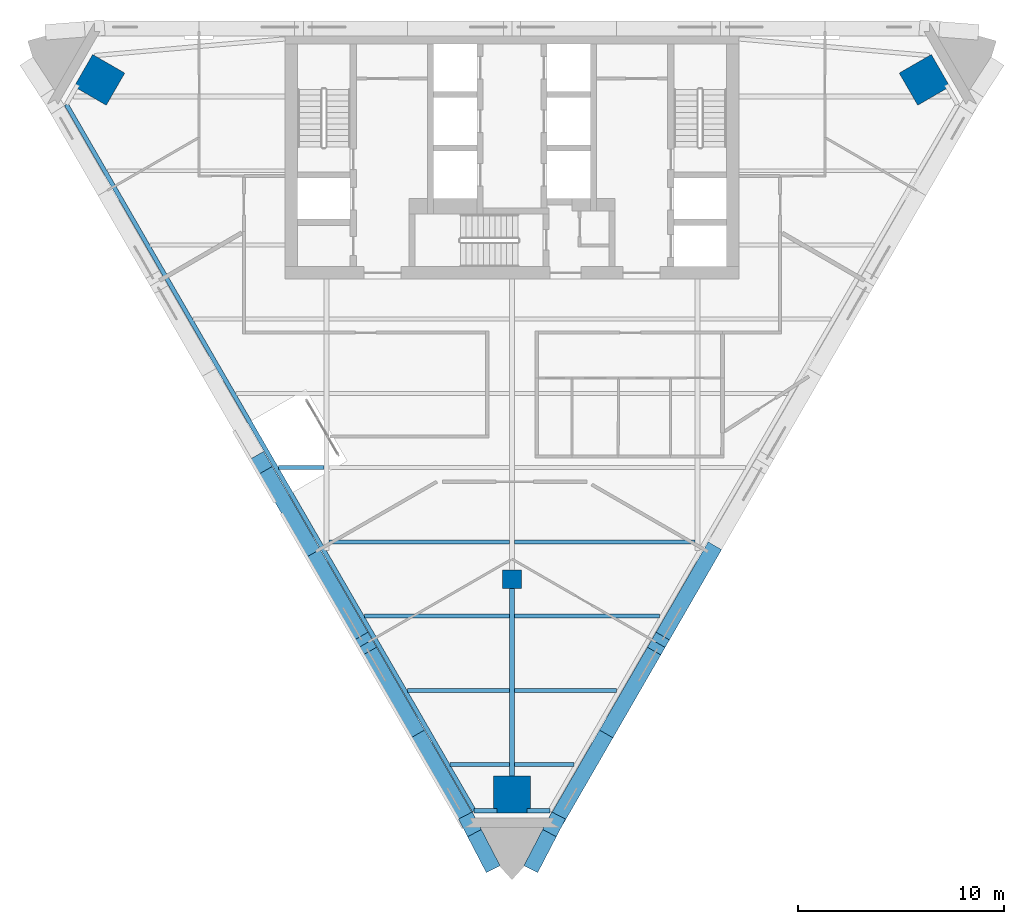
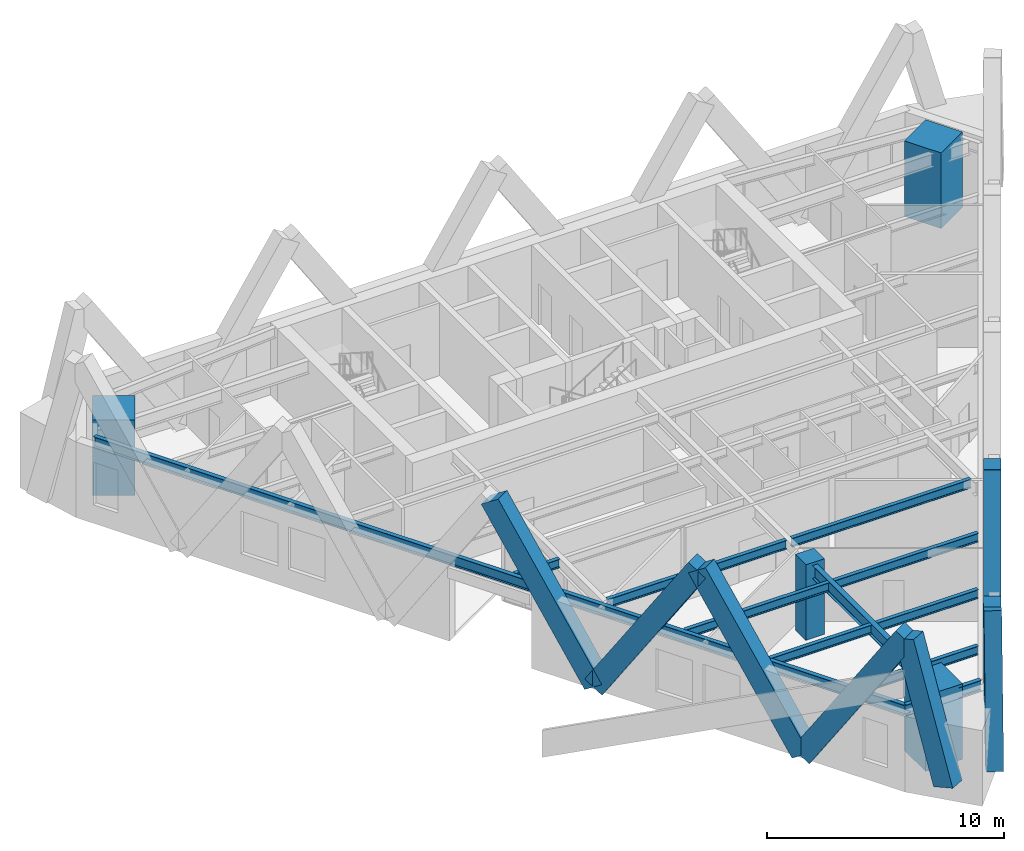
# One storey, part 1 of 9: 13 beams, 9 members, 4 columns.
"""IFC4 building model written with IfcOpenShell, lengths in metres."""

from ifc_helpers import new_model, si_unit, direction, frame, origin, origin_2d, place, context, subcontext, project, spatial, rectangle, i_section, extrude, material, material_profile, profile_set, type_object, element, save


model = new_model("IFC4")

# Units and contexts
model_context = context("Model", 3, precision=1e-05, world=origin(), true_north=direction((0.0, 1.0)))
body_context = subcontext(model_context, "Body", "Model", "MODEL_VIEW")
ifc_project = project(units=[si_unit("LENGTHUNIT", "METRE"), si_unit("AREAUNIT", "SQUARE_METRE"), si_unit("VOLUMEUNIT", "CUBIC_METRE"), si_unit("PLANEANGLEUNIT", "RADIAN"), si_unit("MASSUNIT", "GRAM", prefix="KILO")], contexts=[model_context])

# Site, building, storey
site_placement = place(None, origin())
site = spatial("IfcSite", under=ifc_project, at=site_placement, CompositionType="ELEMENT")
building_placement = place(site_placement, origin())
building = spatial("IfcBuilding", under=site, at=building_placement, Name="Aloe Facet Convention Tower", CompositionType="ELEMENT")
storey_placement = place(building_placement, frame((0.0, 0.0, 152.0)))
storey = spatial("IfcBuildingStorey", under=building, at=storey_placement, Name="L38", CompositionType="ELEMENT", Elevation=152.0)

# Columns
ifc_material_1 = material(Name="Concrete C70/85", Category="concrete")
ifc_material_profile_1 = material_profile(ifc_material_1, rectangle(XDim=0.89990234375, YDim=0.89990234375, at=origin_2d()), Name="SF-GC-Z3")
ifc_profile_set_1 = profile_set([ifc_material_profile_1], Name="Concrete C70/85")
column_type_1 = type_object("IfcColumnType", Name="SF-GC-Z3", PredefinedType="COLUMN", material=ifc_profile_set_1)
column_placement = place(storey_placement, frame((80.0, 108.0, 0.0), z_axis=(0.0, 0.0, 1.0), x_axis=(1.0, 0.0, 0.0)))
element("IfcColumn", 1, at=column_placement, inside=storey, type_object=column_type_1, Name="Gravity column GC-Z3-9D", PredefinedType="COLUMN", context=body_context, shape_type="SweptSolid", body=[
    extrude(rectangle(XDim=0.89990234375, YDim=0.89990234375, at=origin_2d()), origin(), (0.0, 0.0, 1.0), 3.89990234375),
])
ifc_material_2 = material(Name="Concrete C80/95", Category="concrete")
ifc_material_profile_2 = material_profile(ifc_material_2, rectangle(XDim=1.800048828125, YDim=1.800048828125, at=origin_2d()), Name="STW-MC-Z3")
ifc_profile_set_2 = profile_set([ifc_material_profile_2], Name="Concrete C80/95")
column_type_2 = type_object("IfcColumnType", Name="STW-MC-Z3", PredefinedType="COLUMN", material=ifc_profile_set_2)
for number, where, z_axis, x_axis, name in (
    (2, (100.00732421875, 132.208251953125, 0.0), (0.0, 0.0, 1.0), (-0.5, 0.866025403784, 0.0), "Mega-column MC-NE-L38"),
    (3, (59.99267578125, 132.208251953125, 0.0), (0.0, 0.0, 1.0), (-0.5, -0.866025403784, 0.0), "Mega-column MC-NW-L38"),
    (4, (80.0, 97.55419921875, 0.0), (0.0, 0.0, 1.0), (1.0, 0.0, 0.0), "Mega-column MC-S-L38"),
):
    element("IfcColumn", number, at=place(storey_placement, frame(where, z_axis=z_axis, x_axis=x_axis)), inside=storey, type_object=column_type_2, Name=name, PredefinedType="COLUMN", context=body_context, shape_type="SweptSolid", body=[
        extrude(rectangle(XDim=1.800048828125, YDim=1.800048828125, at=origin_2d()), origin(), (0.0, 0.0, 1.0), 3.89990234375),
    ])

# Beams
ifc_material_3 = material(Name="Steel S355", Category="steel")
ifc_material_profile_3 = material_profile(ifc_material_3, i_section(OverallWidth=0.19140625, OverallDepth=0.4599609375, WebThickness=0.010009765625, FlangeThickness=0.01611328125, FilletRadius=0.01025390625, at=origin_2d()), Name="UB 457x191x82")
ifc_profile_set_3 = profile_set([ifc_material_profile_3], Name="Steel S355")
beam_type_1 = type_object("IfcBeamType", Name="SF-B-UB457x191x82", PredefinedType="BEAM", material=ifc_profile_set_3)
beam_1_placement = place(storey_placement, frame((68.687744140625, 113.39990234375, 3.52001953125), z_axis=(1.0, 0.0, 0.0), x_axis=(0.0, 1.0, 0.0)))
element("IfcBeam", 5, at=beam_1_placement, inside=storey, type_object=beam_type_1, Name="Floor beam FB-Z3C-019", PredefinedType="BEAM", context=body_context, shape_type="SweptSolid", body=[
    extrude(i_section(OverallWidth=0.19140625, OverallDepth=0.4599609375, WebThickness=0.010009765625, FlangeThickness=0.01611328125, FilletRadius=0.01025390625, at=origin_2d()), origin(), (0.0, 0.0, 1.0), 2.185791015625),
])
beam_2_placement = place(storey_placement, frame((71.12646484375, 109.800048828125, 3.52001953125), z_axis=(1.0, 0.0, 0.0), x_axis=(0.0, 1.0, 0.0)))
element("IfcBeam", 6, at=beam_2_placement, inside=storey, type_object=beam_type_1, Name="Floor beam FB-Z3C-020", PredefinedType="BEAM", context=body_context, shape_type="SweptSolid", body=[
    extrude(i_section(OverallWidth=0.19140625, OverallDepth=0.4599609375, WebThickness=0.010009765625, FlangeThickness=0.01611328125, FilletRadius=0.01025390625, at=origin_2d()), origin(), (0.0, 0.0, 1.0), 8.7470703125),
])
beam_3_placement = place(storey_placement, frame((72.844482421875, 106.199951171875, 3.52001953125), z_axis=(1.0, 0.0, 0.0), x_axis=(0.0, 1.0, 0.0)))
element("IfcBeam", 7, at=beam_3_placement, inside=storey, type_object=beam_type_1, Name="Floor beam FB-Z3C-024", PredefinedType="BEAM", context=body_context, shape_type="SweptSolid", body=[
    extrude(i_section(OverallWidth=0.19140625, OverallDepth=0.4599609375, WebThickness=0.010009765625, FlangeThickness=0.01611328125, FilletRadius=0.01025390625, at=origin_2d()), origin(), (0.0, 0.0, 1.0), 7.029052734375),
])
beam_4_placement = place(storey_placement, frame((74.923095703125, 102.60009765625, 3.52001953125), z_axis=(1.0, 0.0, 0.0), x_axis=(0.0, 1.0, 0.0)))
element("IfcBeam", 8, at=beam_4_placement, inside=storey, type_object=beam_type_1, Name="Floor beam FB-Z3C-025", PredefinedType="BEAM", context=body_context, shape_type="SweptSolid", body=[
    extrude(i_section(OverallWidth=0.19140625, OverallDepth=0.4599609375, WebThickness=0.010009765625, FlangeThickness=0.01611328125, FilletRadius=0.01025390625, at=origin_2d()), origin(), (0.0, 0.0, 1.0), 4.950439453125),
])
for number, where, z_axis, x_axis, name in (
    (9, (77.00146484375, 99.0, 3.52001953125), (1.0, 0.0, 0.0), (0.0, 1.0, 0.0), "Floor beam FB-Z3C-026"),
    (10, (80.12646484375, 99.0, 3.52001953125), (1.0, 0.0, 0.0), (0.0, 1.0, 0.0), "Floor beam FB-Z3C-027"),
):
    element("IfcBeam", number, at=place(storey_placement, frame(where, z_axis=z_axis, x_axis=x_axis)), inside=storey, type_object=beam_type_1, Name=name, PredefinedType="BEAM", context=body_context, shape_type="SweptSolid", body=[
        extrude(i_section(OverallWidth=0.19140625, OverallDepth=0.4599609375, WebThickness=0.010009765625, FlangeThickness=0.01611328125, FilletRadius=0.01025390625, at=origin_2d()), origin(), (0.0, 0.0, 1.0), 2.8720703125),
    ])
beam_5_placement = place(storey_placement, frame((80.12646484375, 102.60009765625, 3.52001953125), z_axis=(1.0, 0.0, 0.0), x_axis=(0.0, 1.0, 0.0)))
element("IfcBeam", 11, at=beam_5_placement, inside=storey, type_object=beam_type_1, Name="Floor beam FB-Z3C-028", PredefinedType="BEAM", context=body_context, shape_type="SweptSolid", body=[
    extrude(i_section(OverallWidth=0.19140625, OverallDepth=0.4599609375, WebThickness=0.010009765625, FlangeThickness=0.01611328125, FilletRadius=0.01025390625, at=origin_2d()), origin(), (0.0, 0.0, 1.0), 4.950439453125),
])
beam_6_placement = place(storey_placement, frame((80.12646484375, 106.199951171875, 3.52001953125), z_axis=(1.0, 0.0, 0.0), x_axis=(0.0, 1.0, 0.0)))
element("IfcBeam", 12, at=beam_6_placement, inside=storey, type_object=beam_type_1, Name="Floor beam FB-Z3C-029", PredefinedType="BEAM", context=body_context, shape_type="SweptSolid", body=[
    extrude(i_section(OverallWidth=0.19140625, OverallDepth=0.4599609375, WebThickness=0.010009765625, FlangeThickness=0.01611328125, FilletRadius=0.01025390625, at=origin_2d()), origin(), (0.0, 0.0, 1.0), 7.029052734375),
])
beam_7_placement = place(storey_placement, frame((80.12646484375, 109.800048828125, 3.52001953125), z_axis=(1.0, 0.0, 0.0), x_axis=(0.0, 1.0, 0.0)))
element("IfcBeam", 13, at=beam_7_placement, inside=storey, type_object=beam_type_1, Name="Floor beam FB-Z3C-030", PredefinedType="BEAM", context=body_context, shape_type="SweptSolid", body=[
    extrude(i_section(OverallWidth=0.19140625, OverallDepth=0.4599609375, WebThickness=0.010009765625, FlangeThickness=0.01611328125, FilletRadius=0.01025390625, at=origin_2d()), origin(), (0.0, 0.0, 1.0), 8.7470703125),
])
ifc_material_4 = material(Name="Steel S355", Category="steel")
ifc_material_profile_4 = material_profile(ifc_material_4, i_section(OverallWidth=0.209228515625, OverallDepth=0.533203125, WebThickness=0.010009765625, FlangeThickness=0.015625, FilletRadius=0.0126953125, at=origin_2d()), Name="UB 533x210x92")
ifc_profile_set_4 = profile_set([ifc_material_profile_4], Name="Steel S355")
beam_type_2 = type_object("IfcBeamType", Name="SF-B-UB533x210x92", PredefinedType="BEAM", material=ifc_profile_set_4)
beam_8_placement = place(storey_placement, frame((78.16455078125, 96.7587890625, 3.4833984375), z_axis=(-0.499999016722, 0.866025971479, 0.0), x_axis=(-0.866025971479, -0.499999016722, 0.0)))
element("IfcBeam", 14, at=beam_8_placement, inside=storey, type_object=beam_type_2, Name="Floor beam FB-Z3C-003", PredefinedType="BEAM", context=body_context, shape_type="SweptSolid", body=[
    extrude(i_section(OverallWidth=0.209228515625, OverallDepth=0.533203125, WebThickness=0.010009765625, FlangeThickness=0.015625, FilletRadius=0.0126953125, at=origin_2d()), origin(), (0.0, 0.0, 1.0), 39.55712890625),
])
for number, where, z_axis, x_axis, name in (
    (15, (79.2646484375, 96.7587890625, 3.4833984375), (-1.0, 0.0, 0.0), (0.0, -1.0, 0.0), "Floor beam FB-Z3C-004"),
    (16, (81.83544921875, 96.7587890625, 3.4833984375), (-1.0, 0.0, 0.0), (0.0, -1.0, 0.0), "Floor beam FB-Z3C-005"),
):
    element("IfcBeam", number, at=place(storey_placement, frame(where, z_axis=z_axis, x_axis=x_axis)), inside=storey, type_object=beam_type_2, Name=name, PredefinedType="BEAM", context=body_context, shape_type="SweptSolid", body=[
        extrude(i_section(OverallWidth=0.209228515625, OverallDepth=0.533203125, WebThickness=0.010009765625, FlangeThickness=0.015625, FilletRadius=0.0126953125, at=origin_2d()), origin(), (0.0, 0.0, 1.0), 1.10009765625),
    ])
ifc_material_5 = material(Name="Steel S355", Category="steel")
ifc_material_profile_5 = material_profile(ifc_material_5, i_section(OverallWidth=0.2529296875, OverallDepth=0.677978515625, WebThickness=0.01171875, FlangeThickness=0.01611328125, FilletRadius=0.01513671875, at=origin_2d()), Name="UB 686x254x125")
ifc_profile_set_5 = profile_set([ifc_material_profile_5], Name="Steel S355")
beam_type_3 = type_object("IfcBeamType", Name="SF-B-UB686x254x125", PredefinedType="BEAM", material=ifc_profile_set_5)
beam_9_placement = place(storey_placement, frame((80.0, 107.550048828125, 3.410888671875), z_axis=(0.0, -1.0, 0.0), x_axis=(1.0, 0.0, 0.0)))
element("IfcBeam", 17, at=beam_9_placement, inside=storey, type_object=beam_type_3, Name="Floor beam FB-Z3C-011", PredefinedType="BEAM", context=body_context, shape_type="SweptSolid", body=[
    extrude(i_section(OverallWidth=0.2529296875, OverallDepth=0.677978515625, WebThickness=0.01171875, FlangeThickness=0.01611328125, FilletRadius=0.01513671875, at=origin_2d()), origin(), (0.0, 0.0, 1.0), 10.676513671875),
])

# Members
ifc_material_6 = material(Name="Concrete C60/75, bronze oxide finish", Category="concrete")
ifc_material_profile_6 = material_profile(ifc_material_6, rectangle(XDim=0.75, YDim=1.0, at=origin_2d()), Name="STW-LM")
ifc_profile_set_6 = profile_set([ifc_material_profile_6], Name="Concrete C60/75, bronze oxide finish")
member_type = type_object("IfcMemberType", Name="STW-LM", PredefinedType="BRACE", material=ifc_profile_set_6)
for number, where, z_axis, x_axis, name in (
    (18, (70.36865234375, 109.25244140625, 0.0), (-0.272132057907, 0.471373475835, 0.838898795647), (-0.866037770685, -0.499978579288, 0.0), "Lattice member LM-Z3-F2-R3-05"),
    (19, (70.36865234375, 109.25244140625, 0.0), (0.272135426071, -0.471353052238, 0.83890917865), (0.866025710499, 0.499999468754, 0.0), "Lattice member LM-Z3-F2-R3-06"),
):
    element("IfcMember", number, at=place(storey_placement, frame(where, z_axis=z_axis, x_axis=x_axis)), inside=storey, type_object=member_type, Name=name, PredefinedType="BRACE", context=body_context, shape_type="SweptSolid", body=[
        extrude(rectangle(XDim=0.75, YDim=1.0, at=origin_2d()), origin(), (0.0, 0.0, 1.0), 9.2978515625),
    ])
member_1_placement = place(storey_placement, frame((75.429443359375, 100.487060546875, 0.0), z_axis=(-0.272156370565, 0.471370107514, 0.838892801079), x_axis=(-0.866016881694, -0.500014760403, 0.0)))
element("IfcMember", 20, at=member_1_placement, inside=storey, type_object=member_type, Name="Lattice member LM-Z3-F2-R3-07", PredefinedType="BRACE", context=body_context, shape_type="SweptSolid", body=[
    extrude(rectangle(XDim=0.75, YDim=1.0, at=origin_2d()), origin(), (0.0, 0.0, 1.0), 9.298095703125),
])
for number, where, z_axis, x_axis, name in (
    (21, (75.429443359375, 100.487060546875, 0.0), (0.272132057907, -0.471373475835, 0.838898795647), (0.866037770685, 0.499978579288, 0.0), "Lattice member LM-Z3-F2-R3-08"),
    (22, (84.570556640625, 100.487060546875, 0.0), (-0.272132057907, -0.471373475835, 0.838898795647), (0.866037770685, -0.499978579288, 0.0), "Lattice member LM-Z3-F3-R3-01"),
):
    element("IfcMember", number, at=place(storey_placement, frame(where, z_axis=z_axis, x_axis=x_axis)), inside=storey, type_object=member_type, Name=name, PredefinedType="BRACE", context=body_context, shape_type="SweptSolid", body=[
        extrude(rectangle(XDim=0.75, YDim=1.0, at=origin_2d()), origin(), (0.0, 0.0, 1.0), 9.2978515625),
    ])
member_2_placement = place(storey_placement, frame((84.570556640625, 100.487060546875, 0.0), z_axis=(0.272156370565, 0.471370107514, 0.838892801079), x_axis=(-0.866016881694, 0.500014760403, 0.0)))
element("IfcMember", 23, at=member_2_placement, inside=storey, type_object=member_type, Name="Lattice member LM-Z3-F3-R3-02", PredefinedType="BRACE", context=body_context, shape_type="SweptSolid", body=[
    extrude(rectangle(XDim=0.75, YDim=1.0, at=origin_2d()), origin(), (0.0, 0.0, 1.0), 9.298095703125),
])
member_3_placement = place(storey_placement, frame((89.63134765625, 109.25244140625, 0.0), z_axis=(-0.272135426071, -0.471353052238, 0.83890917865), x_axis=(0.866025710499, -0.499999468754, 0.0)))
element("IfcMember", 24, at=member_3_placement, inside=storey, type_object=member_type, Name="Lattice member LM-Z3-F3-R3-03", PredefinedType="BRACE", context=body_context, shape_type="SweptSolid", body=[
    extrude(rectangle(XDim=0.75, YDim=1.0, at=origin_2d()), origin(), (0.0, 0.0, 1.0), 9.2978515625),
])
for number, where, z_axis, x_axis, name in (
    (25, (78.866455078125, 94.357421875, 0.86669921875), (-0.125808632199, 0.242369618575, 0.961992284822), (-0.887551679819, -0.460708167554, 0.0), "Lattice member LM-Z3-F5-R2-05"),
    (26, (81.133544921875, 94.357421875, 0.86669921875), (0.125808632199, 0.242369618575, 0.961992284822), (-0.887551679819, 0.460708167554, 0.0), "Lattice member LM-Z3-F5-R2-06"),
):
    element("IfcMember", number, at=place(storey_placement, frame(where, z_axis=z_axis, x_axis=x_axis)), inside=storey, type_object=member_type, Name=name, PredefinedType="BRACE", context=body_context, shape_type="SweptSolid", body=[
        extrude(rectangle(XDim=0.75, YDim=1.0, at=origin_2d()), origin(), (0.0, 0.0, 1.0), 7.207275390625),
    ])

save(model, "model.ifc")
